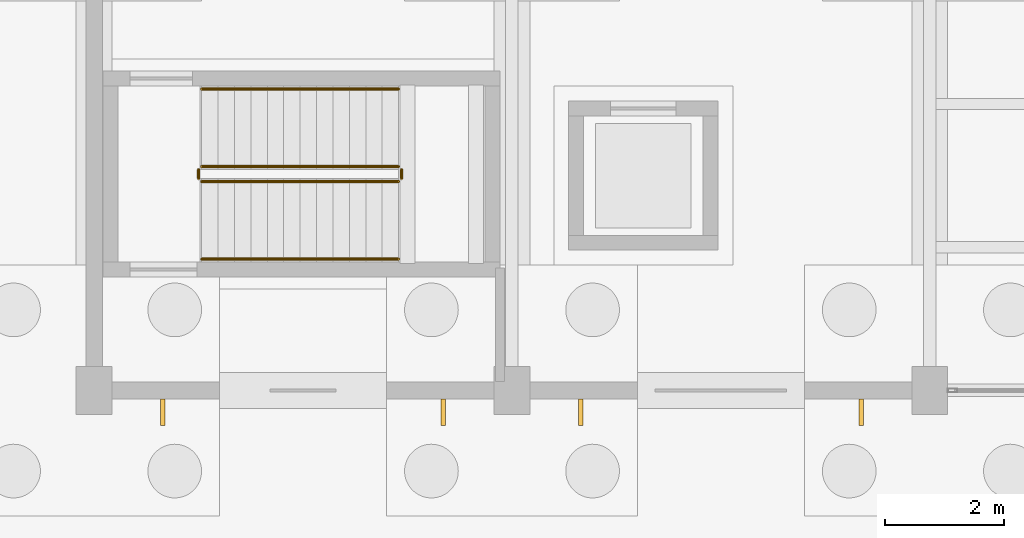
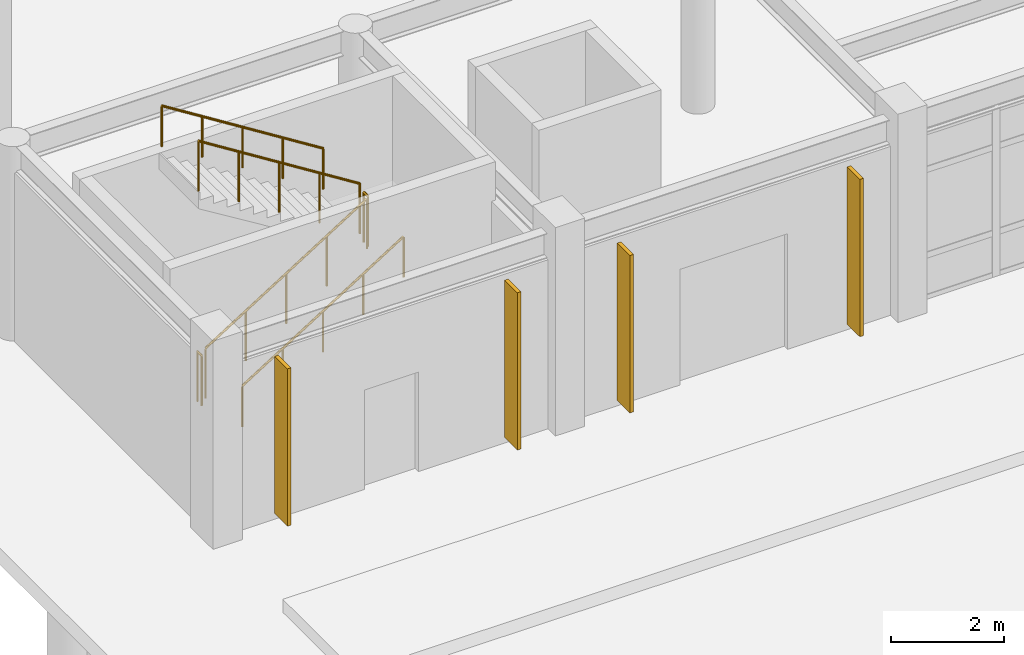
# One storey, part 133 of 154: 6 railings, 4 shading devices.
"""IFC4 building model written with IfcOpenShell, lengths in metres."""

from ifc_helpers import new_model, si_unit, direction, frame, origin, origin_2d, place, context, subcontext, project, spatial, rectangle, circle, extrude, material, layer, layer_set, type_object, element, save


model = new_model("IFC4")

# Units and contexts
model_context = context("Model", 3, precision=1e-05, world=origin(), true_north=direction((0.0, 1.0)))
body_context = subcontext(model_context, "Body", "Model", "MODEL_VIEW")
ifc_project = project(units=[si_unit("LENGTHUNIT", "METRE"), si_unit("AREAUNIT", "SQUARE_METRE"), si_unit("VOLUMEUNIT", "CUBIC_METRE"), si_unit("PLANEANGLEUNIT", "RADIAN"), si_unit("MASSUNIT", "GRAM", prefix="KILO")], contexts=[model_context])

# Site, building, storey
site_placement = place(None, origin())
site = spatial("IfcSite", under=ifc_project, at=site_placement, CompositionType="ELEMENT")
building_placement = place(site_placement, origin())
building = spatial("IfcBuilding", under=site, at=building_placement, Name="Kestramere Prow Commons", CompositionType="ELEMENT")
storey_placement = place(building_placement, origin())
storey = spatial("IfcBuildingStorey", under=building, at=storey_placement, Name="L00", CompositionType="ELEMENT", Elevation=0.0)

# Railings
ifc_material_1 = material(Name="Galvanised Steel S275JR", Category="steel")
railing_type_1 = type_object("IfcRailingType", Name="RL-ST-GR-1100", PredefinedType="GUARDRAIL", material=ifc_material_1)
railing_1_placement = place(storey_placement, frame((4.0, 11.0, 0.173095703125)))
element("IfcRailing", 1, at=railing_1_placement, inside=storey, type_object=railing_type_1, Name="L00 ST-H1 stair guard 1", PredefinedType="GUARDRAIL", context=body_context, shape_type="SweptSolid", body=[
    extrude(circle(Radius=0.02392578125, at=origin_2d()), frame((0.0, 0.0, 1.076171875), z_axis=(0.846337383501, 0.0, 0.532647194011), x_axis=(0.0, 1.0, 0.0)), (0.0, 0.0, 1.0), 3.899169921875),
    extrude(circle(Radius=0.02099609375, at=origin_2d()), origin(), (0.0, 0.0, 1.0), 1.052001953125),
    extrude(circle(Radius=0.02099609375, at=origin_2d()), frame((0.824951171875, 0.0, 0.519287109375)), (0.0, 0.0, 1.0), 1.052001953125),
    extrude(circle(Radius=0.02099609375, at=origin_2d()), frame((1.64990234375, 0.0, 1.03857421875)), (0.0, 0.0, 1.0), 1.052001953125),
    extrude(circle(Radius=0.02099609375, at=origin_2d()), frame((2.47509765625, 0.0, 1.5576171875)), (0.0, 0.0, 1.0), 1.052001953125),
    extrude(circle(Radius=0.02099609375, at=origin_2d()), frame((3.300048828125, 0.0, 2.076904296875)), (0.0, 0.0, 1.0), 1.052001953125),
])
railing_2_placement = place(storey_placement, frame((7.35009765625, 11.050048828125, 2.25)))
element("IfcRailing", 2, at=railing_2_placement, inside=storey, type_object=railing_type_1, Name="L00 ST-H1 stair guard 2", PredefinedType="GUARDRAIL", context=body_context, shape_type="SweptSolid", body=[
    extrude(circle(Radius=0.02392578125, at=origin_2d()), frame((0.0, 0.0, 1.076171875), z_axis=(0.0, 1.0, 0.0), x_axis=(-1.0, 0.0, 0.0)), (0.0, 0.0, 1.0), 0.14990234375),
    extrude(circle(Radius=0.02099609375, at=origin_2d()), origin(), (0.0, 0.0, 1.0), 1.052001953125),
    extrude(circle(Radius=0.02099609375, at=origin_2d()), frame((0.0, 0.14990234375, 0.0)), (0.0, 0.0, 1.0), 1.052001953125),
])
railing_3_placement = place(storey_placement, frame((7.300048828125, 11.25, 2.423095703125)))
element("IfcRailing", 3, at=railing_3_placement, inside=storey, type_object=railing_type_1, Name="L00 ST-H1 stair guard 3", PredefinedType="GUARDRAIL", context=body_context, shape_type="SweptSolid", body=[
    extrude(circle(Radius=0.02392578125, at=origin_2d()), frame((0.0, 0.0, 1.076171875), z_axis=(-0.846337383501, 0.0, 0.532647194011), x_axis=(0.0, -1.0, 0.0)), (0.0, 0.0, 1.0), 3.899169921875),
    extrude(circle(Radius=0.02099609375, at=origin_2d()), origin(), (0.0, 0.0, 1.0), 1.052001953125),
    extrude(circle(Radius=0.02099609375, at=origin_2d()), frame((-0.824951171875, 0.0, 0.519287109375)), (0.0, 0.0, 1.0), 1.052001953125),
    extrude(circle(Radius=0.02099609375, at=origin_2d()), frame((-1.64990234375, 0.0, 1.03857421875)), (0.0, 0.0, 1.0), 1.052001953125),
    extrude(circle(Radius=0.02099609375, at=origin_2d()), frame((-2.47509765625, 0.0, 1.5576171875)), (0.0, 0.0, 1.0), 1.052001953125),
    extrude(circle(Radius=0.02099609375, at=origin_2d()), frame((-3.300048828125, 0.0, 2.076904296875)), (0.0, 0.0, 1.0), 1.052001953125),
])
railing_4_placement = place(storey_placement, frame((3.949951171875, 11.050048828125, 0.0)))
element("IfcRailing", 4, at=railing_4_placement, inside=storey, type_object=railing_type_1, Name="L00 ST-H1 stair guard 4", PredefinedType="GUARDRAIL", context=body_context, shape_type="SweptSolid", body=[
    extrude(circle(Radius=0.02392578125, at=origin_2d()), frame((0.0, 0.0, 1.076171875), z_axis=(0.0, 1.0, 0.0), x_axis=(-1.0, 0.0, 0.0)), (0.0, 0.0, 1.0), 0.14990234375),
    extrude(circle(Radius=0.02099609375, at=origin_2d()), origin(), (0.0, 0.0, 1.0), 1.052001953125),
    extrude(circle(Radius=0.02099609375, at=origin_2d()), frame((0.0, 0.14990234375, 0.0)), (0.0, 0.0, 1.0), 1.052001953125),
])
ifc_material_2 = material(Name="Stainless Steel 304", Category="steel")
railing_type_2 = type_object("IfcRailingType", Name="RL-ST-HR-900", PredefinedType="HANDRAIL", material=ifc_material_2)
railing_5_placement = place(storey_placement, frame((4.0, 9.699951171875, 0.34619140625)))
element("IfcRailing", 5, at=railing_5_placement, inside=storey, type_object=railing_type_2, Name="L00 ST-H1 stair handrail 1", PredefinedType="HANDRAIL", context=body_context, shape_type="SweptSolid", body=[
    extrude(circle(Radius=0.02392578125, at=origin_2d()), frame((0.0, 0.0, 0.8759765625), z_axis=(0.846337383501, 0.0, 0.532647194011), x_axis=(0.0, 1.0, 0.0)), (0.0, 0.0, 1.0), 3.899169921875),
    extrude(circle(Radius=0.02099609375, at=origin_2d()), origin(), (0.0, 0.0, 1.0), 0.851806640625),
    extrude(circle(Radius=0.02099609375, at=origin_2d()), frame((0.824951171875, 0.0, 0.519287109375)), (0.0, 0.0, 1.0), 0.851806640625),
    extrude(circle(Radius=0.02099609375, at=origin_2d()), frame((1.64990234375, 0.0, 1.03857421875)), (0.0, 0.0, 1.0), 0.851806640625),
    extrude(circle(Radius=0.02099609375, at=origin_2d()), frame((2.47509765625, 0.0, 1.5576171875)), (0.0, 0.0, 1.0), 0.851806640625),
    extrude(circle(Radius=0.02099609375, at=origin_2d()), frame((3.300048828125, 0.0, 2.076904296875)), (0.0, 0.0, 1.0), 0.851806640625),
])
railing_6_placement = place(storey_placement, frame((7.300048828125, 12.550048828125, 2.59619140625)))
element("IfcRailing", 6, at=railing_6_placement, inside=storey, type_object=railing_type_2, Name="L00 ST-H1 stair handrail 2", PredefinedType="HANDRAIL", context=body_context, shape_type="SweptSolid", body=[
    extrude(circle(Radius=0.02392578125, at=origin_2d()), frame((0.0, 0.0, 0.8759765625), z_axis=(-0.846337383501, 0.0, 0.532647194011), x_axis=(0.0, -1.0, 0.0)), (0.0, 0.0, 1.0), 3.899169921875),
    extrude(circle(Radius=0.02099609375, at=origin_2d()), origin(), (0.0, 0.0, 1.0), 0.851806640625),
    extrude(circle(Radius=0.02099609375, at=origin_2d()), frame((-0.824951171875, 0.0, 0.519287109375)), (0.0, 0.0, 1.0), 0.851806640625),
    extrude(circle(Radius=0.02099609375, at=origin_2d()), frame((-1.64990234375, 0.0, 1.03857421875)), (0.0, 0.0, 1.0), 0.851806640625),
    extrude(circle(Radius=0.02099609375, at=origin_2d()), frame((-2.47509765625, 0.0, 1.5576171875)), (0.0, 0.0, 1.0), 0.851806640625),
    extrude(circle(Radius=0.02099609375, at=origin_2d()), frame((-3.300048828125, 0.0, 2.076904296875)), (0.0, 0.0, 1.0), 0.851806640625),
])

# Shading devices
ifc_material_3 = material(Name="Weathered Bronze-Anodised Aluminium", Category="aluminium")
ifc_layer = layer(ifc_material_3, 0.074951171875)
ifc_layer_set = layer_set([ifc_layer], Name="Weathered Bronze-Anodised Aluminium")
shading_device_type = type_object("IfcShadingDeviceType", Name="SHD-VFIN-450", PredefinedType="USERDEFINED", material=ifc_layer_set)
for number, where, z_axis, x_axis, name in (
    (7, (3.35009765625, 7.135009765625, 0.1201171875), (0.0, 0.0, 1.0), (1.0, 0.0, 0.0), "Hall Entrance Vertical Fin 1-1"),
    (8, (8.050048828125, 7.135009765625, 0.1201171875), (0.0, 0.0, 1.0), (1.0, 0.0, 0.0), "Hall Entrance Vertical Fin 1-2"),
    (9, (10.35009765625, 7.135009765625, 0.1201171875), (0.0, 0.0, 1.0), (1.0, 0.0, 0.0), "Hall Entrance Vertical Fin 2-1"),
    (10, (15.050048828125, 7.135009765625, 0.1201171875), (0.0, 0.0, 1.0), (1.0, 0.0, 0.0), "Hall Entrance Vertical Fin 2-2"),
):
    element("IfcShadingDevice", number, at=place(storey_placement, frame(where, z_axis=z_axis, x_axis=x_axis)), inside=storey, type_object=shading_device_type, Name=name, ObjectType="VERTICAL FIN", PredefinedType="USERDEFINED", context=body_context, shape_type="SweptSolid", body=[
        extrude(rectangle(XDim=0.074951171875, YDim=0.449951171875, at=origin_2d()), origin(), (0.0, 0.0, 1.0), 3.39990234375),
    ])

save(model, "model.ifc")
